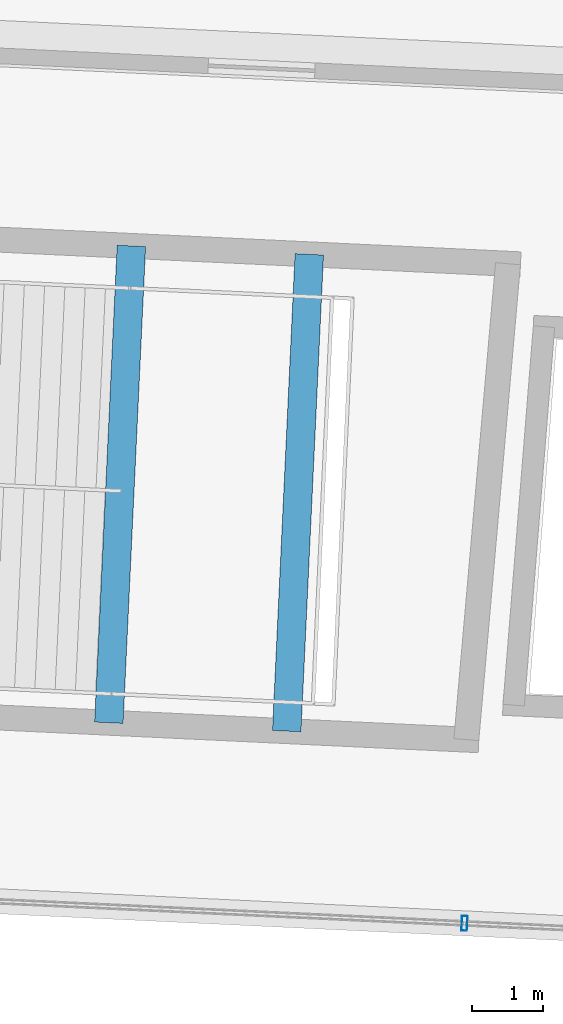
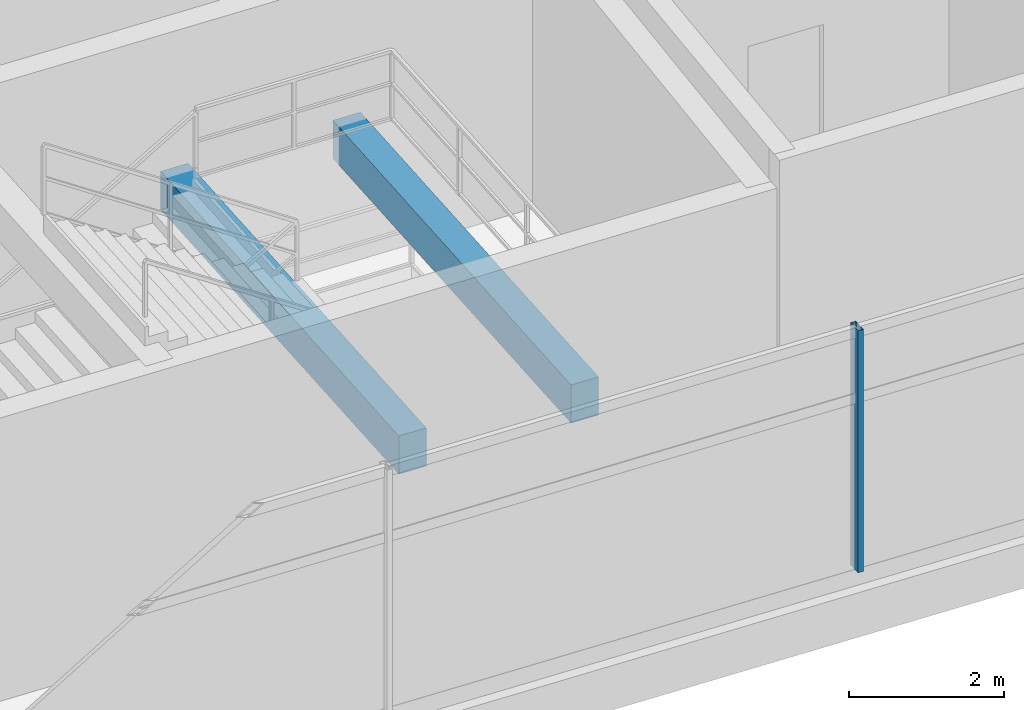
# One storey, part 19 of 171: 2 beams, 1 member, 1 element without a shape of its own.
"""IFC4 building model written with IfcOpenShell, lengths in metres."""

from ifc_helpers import new_model, si_unit, direction, frame, origin, origin_2d, place, context, subcontext, project, spatial, rectangle, hollow_rectangle, extrude, material, layer, layer_set, material_profile, profile_set, type_object, element, aggregate, save


model = new_model("IFC4")

# Units and contexts
model_context = context("Model", 3, precision=1e-05, world=origin(), true_north=direction((0.0, 1.0)))
body_context = subcontext(model_context, "Body", "Model", "MODEL_VIEW")
ifc_project = project(units=[si_unit("LENGTHUNIT", "METRE"), si_unit("AREAUNIT", "SQUARE_METRE"), si_unit("VOLUMEUNIT", "CUBIC_METRE"), si_unit("PLANEANGLEUNIT", "RADIAN"), si_unit("MASSUNIT", "GRAM", prefix="KILO")], contexts=[model_context])

# Site, building, storey
site_placement = place(None, origin())
site = spatial("IfcSite", under=ifc_project, at=site_placement, CompositionType="ELEMENT")
building_placement = place(site_placement, origin())
building = spatial("IfcBuilding", under=site, at=building_placement, Name="Kazemori Nagisa Stadium", CompositionType="ELEMENT")
storey_placement = place(building_placement, frame((0.0, 0.0, 15.639892578125)))
storey = spatial("IfcBuildingStorey", under=building, at=storey_placement, Name="L03", CompositionType="ELEMENT", Elevation=15.639892578125)

# Beams
ifc_material_1 = material(Name="Concrete C40/50 (Fc42)", Category="concrete")
ifc_material_profile_1 = material_profile(ifc_material_1, rectangle(XDim=0.39990234375, YDim=0.60009765625, at=origin_2d()), Name="RC-BM-400x600")
ifc_profile_set_1 = profile_set([ifc_material_profile_1], Name="Concrete C40/50 (Fc42)")
beam_type = type_object("IfcBeamType", Name="Beam_BG-LND400X600", PredefinedType="BEAM", material=ifc_profile_set_1)
beam_1_placement = place(storey_placement, frame((111.023681640625, 25.854248046875, 1.880126953125), z_axis=(-0.047220656191, -0.998884482625, 0.0), x_axis=(0.998884482625, -0.047220656191, 0.0)))
element("IfcBeam", 1, at=beam_1_placement, inside=storey, type_object=beam_type, Name="Core stair mid-landing girder ST12-L03-1", PredefinedType="BEAM", context=body_context, shape_type="SweptSolid", body=[
    extrude(rectangle(XDim=0.39990234375, YDim=0.60009765625, at=origin_2d()), origin(), (0.0, 0.0, 1.0), 6.70068359375),
])
beam_2_placement = place(storey_placement, frame((113.52099609375, 25.736083984375, 1.880126953125), z_axis=(-0.047258730523, -0.998882681995, 0.0), x_axis=(0.998882681995, -0.047258730523, 0.0)))
element("IfcBeam", 2, at=beam_2_placement, inside=storey, type_object=beam_type, Name="Core stair mid-landing girder ST12-L03-2", PredefinedType="BEAM", context=body_context, shape_type="SweptSolid", body=[
    extrude(rectangle(XDim=0.39990234375, YDim=0.60009765625, at=origin_2d()), origin(), (0.0, 0.0, 1.0), 6.700439453125),
])

# Curtain wall, member
ifc_material_2 = material(Name="Anodised aluminium 6063-T5", Category="aluminium")
ifc_layer = layer(ifc_material_2, 0.2099609375, Name="Anodised aluminium 6063-T5", Category="aluminium")
ifc_layer_set = layer_set([ifc_layer], Name="Anodised aluminium 6063-T5")
curtain_wall_type = type_object("IfcCurtainWallType", Name="CW_L03R3_103", PredefinedType="USERDEFINED", material=ifc_layer_set)
curtain_wall_placement = place(storey_placement, origin())
curtain_wall = element("IfcCurtainWall", 3, at=curtain_wall_placement, inside=storey, type_object=curtain_wall_type, Name="Unitised curtain wall CW-L03R3-103 L03", ObjectType="UNITISED CURTAIN WALL", PredefinedType="USERDEFINED")
ifc_material_3 = material(Name="Aluminium 6063-T5 anodised", Category="aluminium")
ifc_material_profile_2 = material_profile(ifc_material_3, hollow_rectangle(XDim=0.080078125, YDim=0.2099609375, WallThickness=0.0048828125, at=origin_2d()), Name="ALU-MULL-80x210x5")
ifc_profile_set_2 = profile_set([ifc_material_profile_2], Name="Aluminium 6063-T5 anodised")
member_type = type_object("IfcMemberType", Name="Mullion_M02", PredefinedType="MULLION", material=ifc_profile_set_2)
member_placement = place(storey_placement, frame((115.69921875, 16.34521484375, 0.0), z_axis=(0.0, 0.0, 1.0), x_axis=(0.998884022476, -0.047230388971, 0.0)))
member = element("IfcMember", 4, at=member_placement, type_object=member_type, Name="Curtain wall mullion CW-L03R3-103-M3", PredefinedType="MULLION", context=body_context, shape_type="SweptSolid", body=[
    extrude(hollow_rectangle(XDim=0.080078125, YDim=0.2099609375, WallThickness=0.0048828125, at=origin_2d()), origin(), (0.0, 0.0, 1.0), 3.81005859375),
])
aggregate(curtain_wall, [member])

save(model, "model.ifc")
